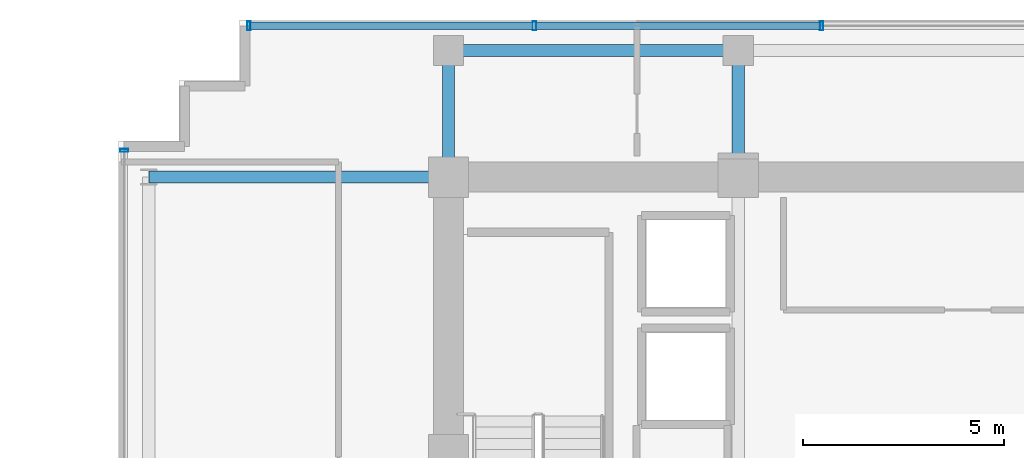
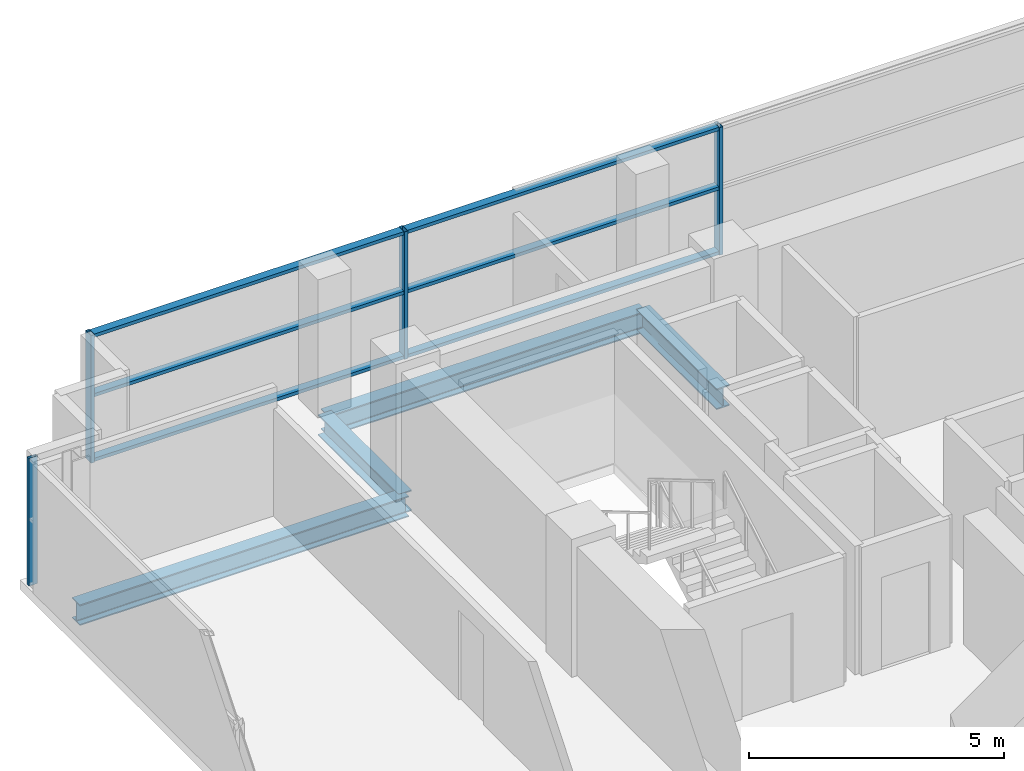
# One storey, part 10 of 21: 10 members, 4 beams, 2 elements without a shape of their own.
"""IFC4 building model written with IfcOpenShell, lengths in metres."""

from ifc_helpers import new_model, si_unit, direction, frame, origin, origin_2d, place, context, subcontext, project, spatial, hollow_rectangle, i_section, extrude, source, transform, mapped, material, layer, layer_set, material_profile, profile_set, type_object, element, aggregate, save


model = new_model("IFC4")

# Units and contexts
model_context = context("Model", 3, precision=1e-05, world=origin(), true_north=direction((0.0, 1.0)))
body_context = subcontext(model_context, "Body", "Model", "MODEL_VIEW")
ifc_project = project(units=[si_unit("LENGTHUNIT", "METRE"), si_unit("AREAUNIT", "SQUARE_METRE"), si_unit("VOLUMEUNIT", "CUBIC_METRE"), si_unit("PLANEANGLEUNIT", "RADIAN"), si_unit("MASSUNIT", "GRAM", prefix="KILO")], contexts=[model_context])

# Site, building, storey
site_placement = place(None, origin())
site = spatial("IfcSite", under=ifc_project, at=site_placement, CompositionType="ELEMENT")
building_placement = place(site_placement, origin())
building = spatial("IfcBuilding", under=site, at=building_placement, Name="Zarnakvel Exchange Tower", CompositionType="ELEMENT")
storey_placement = place(building_placement, frame((0.0, 0.0, 185.800048828125)))
storey = spatial("IfcBuildingStorey", under=building, at=storey_placement, Name="L52", CompositionType="ELEMENT", Elevation=185.800048828125)

# Beams
ifc_material_1 = material(Name="Steel S355", Category="steel")
ifc_material_profile_1 = material_profile(ifc_material_1, i_section(OverallWidth=0.300048828125, OverallDepth=0.5, WebThickness=0.014404296875, FlangeThickness=0.028076171875, FilletRadius=0.027099609375, at=origin_2d()))
ifc_profile_set_1 = profile_set([ifc_material_profile_1], Name="Steel S355")
beam_type_1 = type_object("IfcBeamType", Name="G-06", PredefinedType="BEAM", material=ifc_profile_set_1)
beam_1_placement = place(storey_placement, frame((-21.85009765625, 13.5, -0.47509765625), z_axis=(1.0, 0.0, 0.0), x_axis=(0.0, 1.0, 0.0)))
element("IfcBeam", 1, at=beam_1_placement, inside=storey, type_object=beam_type_1, Name="L52 Tower E-W Frame Beam", PredefinedType="BEAM", context=body_context, shape_type="SweptSolid", body=[
    extrude(i_section(OverallWidth=0.300048828125, OverallDepth=0.5, WebThickness=0.014404296875, FlangeThickness=0.028076171875, FilletRadius=0.027099609375, at=origin_2d()), origin(), (0.0, 0.0, 1.0), 7.4501953125),
])
for number, where, z_axis, x_axis, name in (
    (2, (-14.39990234375, 13.5, -0.47509765625), (0.0, 1.0, 0.0), (-1.0, 0.0, 0.0), "L52 Tower N-S Frame Beam"),
    (3, (-7.199951171875, 13.5, -0.47509765625), (0.0, 1.0, 0.0), (-1.0, 0.0, 0.0), "L52 Tower N-S Frame Beam"),
):
    element("IfcBeam", number, at=place(storey_placement, frame(where, z_axis=z_axis, x_axis=x_axis)), inside=storey, type_object=beam_type_1, Name=name, PredefinedType="BEAM", context=body_context, shape_type="SweptSolid", body=[
        extrude(i_section(OverallWidth=0.300048828125, OverallDepth=0.5, WebThickness=0.014404296875, FlangeThickness=0.028076171875, FilletRadius=0.027099609375, at=origin_2d()), origin(), (0.0, 0.0, 1.0), 3.14990234375),
    ])
ifc_material_profile_2 = material_profile(ifc_material_1, i_section(OverallWidth=0.300048828125, OverallDepth=0.5, WebThickness=0.014404296875, FlangeThickness=0.028076171875, FilletRadius=0.027099609375, at=origin_2d()))
ifc_profile_set_2 = profile_set([ifc_material_profile_2], Name="Steel S355")
beam_type_2 = type_object("IfcBeamType", Name="SP-02", PredefinedType="SPANDREL", material=ifc_profile_set_2)
beam_2_placement = place(storey_placement, frame((-14.39990234375, 16.64990234375, -0.47509765625), z_axis=(1.0, 0.0, 0.0), x_axis=(0.0, 1.0, 0.0)))
element("IfcBeam", 4, at=beam_2_placement, inside=storey, type_object=beam_type_2, Name="L52 Tower E-W Frame Beam", PredefinedType="SPANDREL", context=body_context, shape_type="SweptSolid", body=[
    extrude(i_section(OverallWidth=0.300048828125, OverallDepth=0.5, WebThickness=0.014404296875, FlangeThickness=0.028076171875, FilletRadius=0.027099609375, at=origin_2d()), origin(), (0.0, 0.0, 1.0), 7.199951171875),
])

# Curtain wall, member
ifc_material_2 = material(Name="Architectural Bronze Anodised Aluminium", Category="aluminium")
ifc_layer_1 = layer(ifc_material_2, 0.199951171875)
ifc_layer_set_1 = layer_set([ifc_layer_1], Name="Architectural Bronze Anodised Aluminium")
curtain_wall_type_1 = type_object("IfcCurtainWallType", Name="CW-04", PredefinedType="NOTDEFINED", material=ifc_layer_set_1)
curtain_wall_1_placement = place(storey_placement, origin())
curtain_wall_1 = element("IfcCurtainWall", 5, at=curtain_wall_1_placement, inside=storey, type_object=curtain_wall_type_1, Name="L52 Curtain Wall CW-L52-WN (CW-04)", PredefinedType="NOTDEFINED")
ifc_material_profile_3 = material_profile(ifc_material_2, hollow_rectangle(XDim=0.199951171875, YDim=0.074951171875, WallThickness=0.0048828125, at=origin_2d()))
ifc_profile_set_3 = profile_set([ifc_material_profile_3], Name="Architectural Bronze Anodised Aluminium")
member_type_1 = type_object("IfcMemberType", Name="CWM-04", PredefinedType="MULLION", material=ifc_profile_set_3)
shared_shape_1 = source(origin(), body_context, "Body", "SweptSolid", [
    extrude(hollow_rectangle(XDim=0.199951171875, YDim=0.074951171875, WallThickness=0.0048828125, at=origin_2d()), origin(), (0.0, 0.0, 1.0), 3.054931640625),
])
member_1_placement = place(storey_placement, frame((-22.4599609375, 14.16259765625, 0.0), z_axis=(0.0, 0.0, 1.0), x_axis=(-1.0, 0.0, 0.0)))
member_1 = element("IfcMember", 6, at=member_1_placement, type_object=member_type_1, Name="CW-04 mullion 3", PredefinedType="MULLION", context=body_context, shape_type="MappedRepresentation", body=[
    mapped(shared_shape_1, transform((0.0, 0.0, 0.0), x_axis=(1.0, 0.0, 0.0), y_axis=(0.0, 1.0, 0.0), z_axis=(0.0, 0.0, 1.0), scale=1.0)),
])
aggregate(curtain_wall_1, [member_1])

# Curtain wall, members
ifc_layer_2 = layer(ifc_material_2, 0.219970703125)
ifc_layer_set_2 = layer_set([ifc_layer_2], Name="Architectural Bronze Anodised Aluminium")
curtain_wall_type_2 = type_object("IfcCurtainWallType", Name="CW-03", PredefinedType="NOTDEFINED", material=ifc_layer_set_2)
curtain_wall_2_placement = place(storey_placement, origin())
curtain_wall_2 = element("IfcCurtainWall", 7, at=curtain_wall_2_placement, inside=storey, type_object=curtain_wall_type_2, Name="L52 Curtain Wall CW-L52-N1 (CW-03)", PredefinedType="NOTDEFINED")
ifc_material_profile_4 = material_profile(ifc_material_2, hollow_rectangle(XDim=0.219970703125, YDim=0.080078125, WallThickness=0.0048828125, at=origin_2d()))
ifc_profile_set_4 = profile_set([ifc_material_profile_4], Name="Architectural Bronze Anodised Aluminium")
member_type_2 = type_object("IfcMemberType", Name="CWM-03", PredefinedType="MULLION", material=ifc_profile_set_4)
shared_shape_2 = source(origin(), body_context, "Body", "SweptSolid", [
    extrude(hollow_rectangle(XDim=0.219970703125, YDim=0.080078125, WallThickness=0.0048828125, at=origin_2d()), origin(), (0.0, 0.0, 1.0), 3.054931640625),
])
member_2_placement = place(storey_placement, frame((-19.360107421875, 17.260009765625, 0.0), z_axis=(0.0, 0.0, 1.0), x_axis=(0.0, 1.0, 0.0)))
member_2 = element("IfcMember", 8, at=member_2_placement, type_object=member_type_2, Name="CW-03 mullion 1", PredefinedType="MULLION", context=body_context, shape_type="MappedRepresentation", body=[
    mapped(shared_shape_2, transform((0.0, 0.0, 0.0), x_axis=(1.0, 0.0, 0.0), y_axis=(0.0, 1.0, 0.0), z_axis=(0.0, 0.0, 1.0), scale=1.0)),
])
member_3_placement = place(storey_placement, frame((-12.2666015625, 17.260009765625, 0.0), z_axis=(0.0, 0.0, 1.0), x_axis=(0.0, 1.0, 0.0)))
member_3 = element("IfcMember", 9, at=member_3_placement, type_object=member_type_2, Name="CW-03 mullion 2", PredefinedType="MULLION", context=body_context, shape_type="MappedRepresentation", body=[
    mapped(shared_shape_2, transform((0.0, 0.0, 0.0), x_axis=(1.0, 0.0, 0.0), y_axis=(0.0, 1.0, 0.0), z_axis=(0.0, 0.0, 1.0), scale=1.0)),
])
member_4_placement = place(storey_placement, frame((-5.13330078125, 17.260009765625, 0.0), z_axis=(0.0, 0.0, 1.0), x_axis=(0.0, 1.0, 0.0)))
member_4 = element("IfcMember", 10, at=member_4_placement, type_object=member_type_2, Name="CW-03 mullion 3", PredefinedType="MULLION", context=body_context, shape_type="MappedRepresentation", body=[
    mapped(shared_shape_2, transform((0.0, 0.0, 0.0), x_axis=(1.0, 0.0, 0.0), y_axis=(0.0, 1.0, 0.0), z_axis=(0.0, 0.0, 1.0), scale=1.0)),
])
ifc_material_profile_5 = material_profile(ifc_material_2, hollow_rectangle(XDim=0.179931640625, YDim=0.080078125, WallThickness=0.00390625, at=origin_2d()))
ifc_profile_set_5 = profile_set([ifc_material_profile_5], Name="Architectural Bronze Anodised Aluminium")
member_type_3 = type_object("IfcMemberType", Name="CWT-03", PredefinedType="USERDEFINED", material=ifc_profile_set_5)
shared_shape_3 = source(origin(), body_context, "Body", "SweptSolid", [
    extrude(hollow_rectangle(XDim=0.179931640625, YDim=0.080078125, WallThickness=0.00390625, at=origin_2d()), origin(), (0.0, 0.0, 1.0), 7.013427734375),
])
member_5_placement = place(storey_placement, frame((-19.320068359375, 17.260009765625, 0.0400390625), z_axis=(1.0, 0.0, 0.0), x_axis=(0.0, 1.0, 0.0)))
member_5 = element("IfcMember", 11, at=member_5_placement, type_object=member_type_3, Name="CW-03 transom 1.1", ObjectType="TRANSOM", PredefinedType="USERDEFINED", context=body_context, shape_type="MappedRepresentation", body=[
    mapped(shared_shape_3, transform((0.0, 0.0, 0.0), x_axis=(1.0, 0.0, 0.0), y_axis=(0.0, 1.0, 0.0), z_axis=(0.0, 0.0, 1.0), scale=1.0)),
])
member_6_placement = place(storey_placement, frame((-19.320068359375, 17.260009765625, 1.588623046875), z_axis=(1.0, 0.0, 0.0), x_axis=(0.0, 1.0, 0.0)))
member_6 = element("IfcMember", 12, at=member_6_placement, type_object=member_type_3, Name="CW-03 transom 1.2", ObjectType="TRANSOM", PredefinedType="USERDEFINED", context=body_context, shape_type="MappedRepresentation", body=[
    mapped(shared_shape_3, transform((0.0, 0.0, 0.0), x_axis=(1.0, 0.0, 0.0), y_axis=(0.0, 1.0, 0.0), z_axis=(0.0, 0.0, 1.0), scale=1.0)),
])
member_7_placement = place(storey_placement, frame((-19.320068359375, 17.260009765625, 3.014892578125), z_axis=(1.0, 0.0, 0.0), x_axis=(0.0, 1.0, 0.0)))
member_7 = element("IfcMember", 13, at=member_7_placement, type_object=member_type_3, Name="CW-03 transom 1.3", ObjectType="TRANSOM", PredefinedType="USERDEFINED", context=body_context, shape_type="MappedRepresentation", body=[
    mapped(shared_shape_3, transform((0.0, 0.0, 0.0), x_axis=(1.0, 0.0, 0.0), y_axis=(0.0, 1.0, 0.0), z_axis=(0.0, 0.0, 1.0), scale=1.0)),
])
shared_shape_4 = source(origin(), body_context, "Body", "SweptSolid", [
    extrude(hollow_rectangle(XDim=0.179931640625, YDim=0.080078125, WallThickness=0.00390625, at=origin_2d()), origin(), (0.0, 0.0, 1.0), 7.05322265625),
])
member_8_placement = place(storey_placement, frame((-12.2265625, 17.260009765625, 0.0400390625), z_axis=(1.0, 0.0, 0.0), x_axis=(0.0, 1.0, 0.0)))
member_8 = element("IfcMember", 14, at=member_8_placement, type_object=member_type_3, Name="CW-03 transom 2.1", ObjectType="TRANSOM", PredefinedType="USERDEFINED", context=body_context, shape_type="MappedRepresentation", body=[
    mapped(shared_shape_4, transform((0.0, 0.0, 0.0), x_axis=(1.0, 0.0, 0.0), y_axis=(0.0, 1.0, 0.0), z_axis=(0.0, 0.0, 1.0), scale=1.0)),
])
member_9_placement = place(storey_placement, frame((-12.2265625, 17.260009765625, 1.588623046875), z_axis=(1.0, 0.0, 0.0), x_axis=(0.0, 1.0, 0.0)))
member_9 = element("IfcMember", 15, at=member_9_placement, type_object=member_type_3, Name="CW-03 transom 2.2", ObjectType="TRANSOM", PredefinedType="USERDEFINED", context=body_context, shape_type="MappedRepresentation", body=[
    mapped(shared_shape_4, transform((0.0, 0.0, 0.0), x_axis=(1.0, 0.0, 0.0), y_axis=(0.0, 1.0, 0.0), z_axis=(0.0, 0.0, 1.0), scale=1.0)),
])
member_10_placement = place(storey_placement, frame((-12.2265625, 17.260009765625, 3.014892578125), z_axis=(1.0, 0.0, 0.0), x_axis=(0.0, 1.0, 0.0)))
member_10 = element("IfcMember", 16, at=member_10_placement, type_object=member_type_3, Name="CW-03 transom 2.3", ObjectType="TRANSOM", PredefinedType="USERDEFINED", context=body_context, shape_type="MappedRepresentation", body=[
    mapped(shared_shape_4, transform((0.0, 0.0, 0.0), x_axis=(1.0, 0.0, 0.0), y_axis=(0.0, 1.0, 0.0), z_axis=(0.0, 0.0, 1.0), scale=1.0)),
])
aggregate(curtain_wall_2, [member_2, member_3, member_4, member_5, member_6, member_7, member_8, member_9, member_10])

save(model, "model.ifc")
